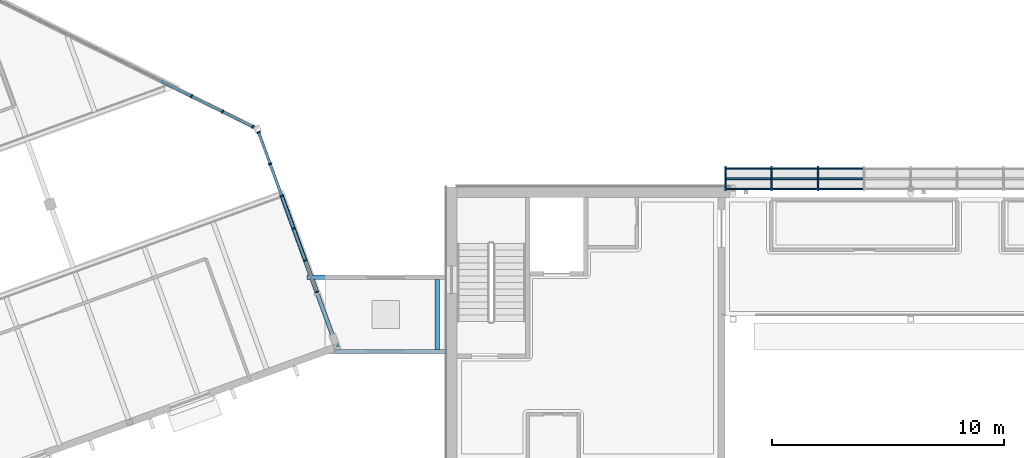
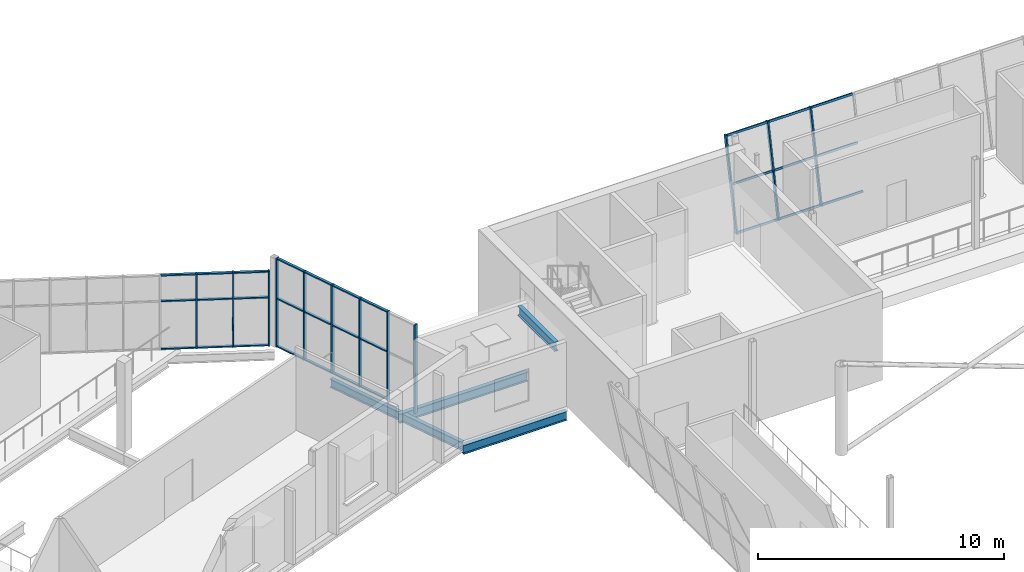
# One storey, part 32 of 115: 42 members, 4 beams, 3 elements without a shape of their own.
"""IFC4 building model written with IfcOpenShell, lengths in metres."""

from ifc_helpers import new_model, si_unit, direction, frame, origin, origin_2d, place, context, subcontext, project, spatial, rectangle, i_section, extrude, material, layer, layer_set, material_profile, profile_set, type_object, element, aggregate, save


model = new_model("IFC4")

# Units and contexts
model_context = context("Model", 3, precision=1e-05, world=origin(), true_north=direction((0.0, 1.0)))
body_context = subcontext(model_context, "Body", "Model", "MODEL_VIEW")
ifc_project = project(units=[si_unit("LENGTHUNIT", "METRE"), si_unit("AREAUNIT", "SQUARE_METRE"), si_unit("VOLUMEUNIT", "CUBIC_METRE"), si_unit("PLANEANGLEUNIT", "RADIAN"), si_unit("MASSUNIT", "GRAM", prefix="KILO")], contexts=[model_context])

# Site, building, storey
site_placement = place(None, origin())
site = spatial("IfcSite", under=ifc_project, at=site_placement, CompositionType="ELEMENT")
building_placement = place(site_placement, origin())
building = spatial("IfcBuilding", under=site, at=building_placement, Name="Windward Yard Aquatics Centre", CompositionType="ELEMENT")
storey_placement = place(building_placement, frame((0.0, 0.0, 5.0)))
storey = spatial("IfcBuildingStorey", under=building, at=storey_placement, Name="L01", CompositionType="ELEMENT", Elevation=5.0)

# Beams
ifc_material_1 = material(Name="Steel ASTM A992 Gr 50", Category="steel")
ifc_material_profile_1 = material_profile(ifc_material_1, i_section(OverallWidth=0.19091796875, OverallDepth=0.45703125, WebThickness=0.009033203125, FlangeThickness=0.014404296875, at=origin_2d()), Name="W460X74")
ifc_profile_set_1 = profile_set([ifc_material_profile_1], Name="Steel ASTM A992 Gr 50")
beam_type_1 = type_object("IfcBeamType", Name="C beam W460X74", PredefinedType="BEAM", material=ifc_profile_set_1)
beam_1_placement = place(storey_placement, frame((45.98291015625, 92.10009765625, -0.478515625), z_axis=(1.0, 0.0, 0.0), x_axis=(0.0, 1.0, 0.0)))
element("IfcBeam", 1, at=beam_1_placement, inside=storey, type_object=beam_type_1, Name="C.B.X.V3V1.L01.GN", PredefinedType="BEAM", context=body_context, shape_type="SweptSolid", body=[
    extrude(i_section(OverallWidth=0.19091796875, OverallDepth=0.45703125, WebThickness=0.009033203125, FlangeThickness=0.014404296875, at=origin_2d()), origin(), (0.0, 0.0, 1.0), 6.01708984375),
])
beam_2_placement = place(storey_placement, frame((47.147705078125, 88.89990234375, -0.478515625), z_axis=(1.0, 0.0, 0.0), x_axis=(0.0, 1.0, 0.0)))
element("IfcBeam", 2, at=beam_2_placement, inside=storey, type_object=beam_type_1, Name="C.B.X.V3V1.L01.GS", PredefinedType="BEAM", context=body_context, shape_type="SweptSolid", body=[
    extrude(i_section(OverallWidth=0.19091796875, OverallDepth=0.45703125, WebThickness=0.009033203125, FlangeThickness=0.014404296875, at=origin_2d()), origin(), (0.0, 0.0, 1.0), 4.852294921875),
])
beam_3_placement = place(storey_placement, frame((51.60009765625, 92.0, 2.971435546875), z_axis=(0.0, -1.0, 0.0), x_axis=(1.0, 0.0, 0.0)))
element("IfcBeam", 3, at=beam_3_placement, inside=storey, type_object=beam_type_1, Name="C.B.X.V3V1.L01.RB", PredefinedType="BEAM", context=body_context, shape_type="SweptSolid", body=[
    extrude(i_section(OverallWidth=0.19091796875, OverallDepth=0.45703125, WebThickness=0.009033203125, FlangeThickness=0.014404296875, at=origin_2d()), origin(), (0.0, 0.0, 1.0), 3.0),
])
ifc_material_2 = material(Name="Steel S355", Category="steel")
ifc_material_profile_2 = material_profile(ifc_material_2, i_section(OverallWidth=0.180908203125, OverallDepth=0.4169921875, WebThickness=0.010986328125, FlangeThickness=0.018310546875, at=origin_2d()), Name="W410x85")
ifc_profile_set_2 = profile_set([ifc_material_profile_2], Name="Steel S355")
beam_type_2 = type_object("IfcBeamType", Name="F W410x85 beam", PredefinedType="BEAM", material=ifc_profile_set_2)
beam_4_placement = place(storey_placement, frame((47.2744140625, 89.1015625, -0.488525390625), z_axis=(-0.342048290979, 0.939682375401, 0.0), x_axis=(-0.939682375401, -0.342048290979, 0.0)))
element("IfcBeam", 4, at=beam_4_placement, inside=storey, type_object=beam_type_2, Name="F.BM.L01.R05", PredefinedType="BEAM", context=body_context, shape_type="SweptSolid", body=[
    extrude(i_section(OverallWidth=0.180908203125, OverallDepth=0.4169921875, WebThickness=0.010986328125, FlangeThickness=0.018310546875, at=origin_2d()), origin(), (0.0, 0.0, 1.0), 6.999755859375),
])

# Curtain wall, members
ifc_material_3 = material(Name="Aluminium, anodised", Category="aluminium")
ifc_layer_1 = layer(ifc_material_3, 0.14990234375)
ifc_layer_set_1 = layer_set([ifc_layer_1], Name="F curtain wall 150 aluminium")
curtain_wall_type_1 = type_object("IfcCurtainWallType", Name="F curtain wall 150 aluminium", PredefinedType="NOTDEFINED", material=ifc_layer_set_1)
curtain_wall_1_placement = place(storey_placement, origin())
curtain_wall_1 = element("IfcCurtainWall", 5, at=curtain_wall_1_placement, inside=storey, type_object=curtain_wall_type_1, Name="Foyer glazing L01 1", PredefinedType="NOTDEFINED")
ifc_material_profile_3 = material_profile(ifc_material_3, rectangle(XDim=0.159912109375, YDim=0.06005859375, at=origin_2d()), Name="MULLION 60x160")
ifc_profile_set_3 = profile_set([ifc_material_profile_3], Name="Aluminium, anodised")
member_type_1 = type_object("IfcMemberType", Name="F mullion 60x160 aluminium", PredefinedType="MULLION", material=ifc_profile_set_3)
member_1_placement = place(storey_placement, frame((46.4130859375, 91.468017578125, 0.0), z_axis=(0.0, 0.0, 1.0), x_axis=(-0.939690977787, -0.342024657393, 0.0)))
member_1 = element("IfcMember", 6, at=member_1_placement, type_object=member_type_1, Name="FCW1 mullion 1", PredefinedType="MULLION", context=body_context, shape_type="SweptSolid", body=[
    extrude(rectangle(XDim=0.159912109375, YDim=0.06005859375, at=origin_2d()), origin(), (0.0, 0.0, 1.0), 4.39990234375),
])
member_2_placement = place(storey_placement, frame((45.918212890625, 92.82763671875, 0.0), z_axis=(0.0, 0.0, 1.0), x_axis=(-0.939690977787, -0.342024657393, 0.0)))
member_2 = element("IfcMember", 7, at=member_2_placement, type_object=member_type_1, Name="FCW1 mullion 2", PredefinedType="MULLION", context=body_context, shape_type="SweptSolid", body=[
    extrude(rectangle(XDim=0.159912109375, YDim=0.06005859375, at=origin_2d()), origin(), (0.0, 0.0, 1.0), 4.39990234375),
])
member_3_placement = place(storey_placement, frame((45.4130859375, 94.215576171875, 0.0), z_axis=(0.0, 0.0, 1.0), x_axis=(-0.939690977787, -0.342024657393, 0.0)))
member_3 = element("IfcMember", 8, at=member_3_placement, type_object=member_type_1, Name="FCW1 mullion 3", PredefinedType="MULLION", context=body_context, shape_type="SweptSolid", body=[
    extrude(rectangle(XDim=0.159912109375, YDim=0.06005859375, at=origin_2d()), origin(), (0.0, 0.0, 1.0), 4.39990234375),
])
member_4_placement = place(storey_placement, frame((44.907958984375, 95.603271484375, 0.0), z_axis=(0.0, 0.0, 1.0), x_axis=(-0.939690977787, -0.342024657393, 0.0)))
member_4 = element("IfcMember", 9, at=member_4_placement, type_object=member_type_1, Name="FCW1 mullion 4", PredefinedType="MULLION", context=body_context, shape_type="SweptSolid", body=[
    extrude(rectangle(XDim=0.159912109375, YDim=0.06005859375, at=origin_2d()), origin(), (0.0, 0.0, 1.0), 4.39990234375),
])
member_5_placement = place(storey_placement, frame((44.40283203125, 96.9912109375, 0.0), z_axis=(0.0, 0.0, 1.0), x_axis=(-0.939690977787, -0.342024657393, 0.0)))
member_5 = element("IfcMember", 10, at=member_5_placement, type_object=member_type_1, Name="FCW1 mullion 5", PredefinedType="MULLION", context=body_context, shape_type="SweptSolid", body=[
    extrude(rectangle(XDim=0.159912109375, YDim=0.06005859375, at=origin_2d()), origin(), (0.0, 0.0, 1.0), 4.39990234375),
])
member_6_placement = place(storey_placement, frame((43.907958984375, 98.350830078125, 0.0), z_axis=(0.0, 0.0, 1.0), x_axis=(-0.939690977787, -0.342024657393, 0.0)))
member_6 = element("IfcMember", 11, at=member_6_placement, type_object=member_type_1, Name="FCW1 mullion 6", PredefinedType="MULLION", context=body_context, shape_type="SweptSolid", body=[
    extrude(rectangle(XDim=0.159912109375, YDim=0.06005859375, at=origin_2d()), origin(), (0.0, 0.0, 1.0), 4.39990234375),
])

curtain_wall_2_placement = place(storey_placement, origin())
curtain_wall_2 = element("IfcCurtainWall", 12, at=curtain_wall_2_placement, inside=storey, type_object=curtain_wall_type_1, Name="Foyer glazing L01 2", PredefinedType="NOTDEFINED")
member_7_placement = place(storey_placement, frame((43.6572265625, 98.596435546875, 0.0), z_axis=(0.0, 0.0, 1.0), x_axis=(-0.445706968105, -0.895178919872, 0.0)))
member_7 = element("IfcMember", 13, at=member_7_placement, type_object=member_type_1, Name="FCW2 mullion 1", PredefinedType="MULLION", context=body_context, shape_type="SweptSolid", body=[
    extrude(rectangle(XDim=0.159912109375, YDim=0.06005859375, at=origin_2d()), origin(), (0.0, 0.0, 1.0), 3.702880859375),
])
member_8_placement = place(storey_placement, frame((42.35009765625, 99.247314453125, 0.0), z_axis=(0.0, 0.0, 1.0), x_axis=(-0.445706968105, -0.895178919872, 0.0)))
member_8 = element("IfcMember", 14, at=member_8_placement, type_object=member_type_1, Name="FCW2 mullion 2", PredefinedType="MULLION", context=body_context, shape_type="SweptSolid", body=[
    extrude(rectangle(XDim=0.159912109375, YDim=0.06005859375, at=origin_2d()), origin(), (0.0, 0.0, 1.0), 3.702880859375),
])
member_9_placement = place(storey_placement, frame((41.015869140625, 99.91162109375, 0.0), z_axis=(0.0, 0.0, 1.0), x_axis=(-0.445706968105, -0.895178919872, 0.0)))
member_9 = element("IfcMember", 15, at=member_9_placement, type_object=member_type_1, Name="FCW2 mullion 3", PredefinedType="MULLION", context=body_context, shape_type="SweptSolid", body=[
    extrude(rectangle(XDim=0.159912109375, YDim=0.06005859375, at=origin_2d()), origin(), (0.0, 0.0, 1.0), 3.702880859375),
])

# Member
ifc_material_profile_4 = material_profile(ifc_material_3, rectangle(XDim=0.1201171875, YDim=0.06005859375, at=origin_2d()), Name="TRANSOM 60x120")
ifc_profile_set_4 = profile_set([ifc_material_profile_4], Name="Aluminium, anodised")
member_type_2 = type_object("IfcMemberType", Name="F transom 60x120 aluminium", PredefinedType="USERDEFINED", material=ifc_profile_set_4)
member_10_placement = place(storey_placement, frame((45.907958984375, 92.855712890625, 0.030029296875), z_axis=(-0.342005894163, 0.939697806935, 0.0), x_axis=(-0.939697806935, -0.342005894163, 0.0)))
member_10 = element("IfcMember", 16, at=member_10_placement, type_object=member_type_2, Name="FCW1 transom 2.1", ObjectType="TRANSOM", PredefinedType="USERDEFINED", context=body_context, shape_type="SweptSolid", body=[
    extrude(rectangle(XDim=0.1201171875, YDim=0.06005859375, at=origin_2d()), origin(), (0.0, 0.0, 1.0), 1.4169921875),
])

member_11_placement = place(storey_placement, frame((45.907958984375, 92.855712890625, 2.39990234375), z_axis=(-0.342005894163, 0.939697806935, 0.0), x_axis=(-0.939697806935, -0.342005894163, 0.0)))
member_11 = element("IfcMember", 17, at=member_11_placement, type_object=member_type_2, Name="FCW1 transom 2.2", ObjectType="TRANSOM", PredefinedType="USERDEFINED", context=body_context, shape_type="SweptSolid", body=[
    extrude(rectangle(XDim=0.1201171875, YDim=0.06005859375, at=origin_2d()), origin(), (0.0, 0.0, 1.0), 1.4169921875),
])

member_12_placement = place(storey_placement, frame((45.907958984375, 92.855712890625, 4.3701171875), z_axis=(-0.342005894163, 0.939697806935, 0.0), x_axis=(-0.939697806935, -0.342005894163, 0.0)))
member_12 = element("IfcMember", 18, at=member_12_placement, type_object=member_type_2, Name="FCW1 transom 2.3", ObjectType="TRANSOM", PredefinedType="USERDEFINED", context=body_context, shape_type="SweptSolid", body=[
    extrude(rectangle(XDim=0.1201171875, YDim=0.06005859375, at=origin_2d()), origin(), (0.0, 0.0, 1.0), 1.4169921875),
])

member_13_placement = place(storey_placement, frame((45.40283203125, 94.24365234375, 0.030029296875), z_axis=(-0.342005894163, 0.939697806935, 0.0), x_axis=(-0.939697806935, -0.342005894163, 0.0)))
member_13 = element("IfcMember", 19, at=member_13_placement, type_object=member_type_2, Name="FCW1 transom 3.1", ObjectType="TRANSOM", PredefinedType="USERDEFINED", context=body_context, shape_type="SweptSolid", body=[
    extrude(rectangle(XDim=0.1201171875, YDim=0.06005859375, at=origin_2d()), origin(), (0.0, 0.0, 1.0), 1.4169921875),
])

member_14_placement = place(storey_placement, frame((45.40283203125, 94.24365234375, 2.39990234375), z_axis=(-0.342005894163, 0.939697806935, 0.0), x_axis=(-0.939697806935, -0.342005894163, 0.0)))
member_14 = element("IfcMember", 20, at=member_14_placement, type_object=member_type_2, Name="FCW1 transom 3.2", ObjectType="TRANSOM", PredefinedType="USERDEFINED", context=body_context, shape_type="SweptSolid", body=[
    extrude(rectangle(XDim=0.1201171875, YDim=0.06005859375, at=origin_2d()), origin(), (0.0, 0.0, 1.0), 1.4169921875),
])

member_15_placement = place(storey_placement, frame((45.40283203125, 94.24365234375, 4.3701171875), z_axis=(-0.342005894163, 0.939697806935, 0.0), x_axis=(-0.939697806935, -0.342005894163, 0.0)))
member_15 = element("IfcMember", 21, at=member_15_placement, type_object=member_type_2, Name="FCW1 transom 3.3", ObjectType="TRANSOM", PredefinedType="USERDEFINED", context=body_context, shape_type="SweptSolid", body=[
    extrude(rectangle(XDim=0.1201171875, YDim=0.06005859375, at=origin_2d()), origin(), (0.0, 0.0, 1.0), 1.4169921875),
])

member_16_placement = place(storey_placement, frame((44.897705078125, 95.631591796875, 0.030029296875), z_axis=(-0.342061275131, 0.939677649013, 0.0), x_axis=(-0.939677649013, -0.342061275131, 0.0)))
member_16 = element("IfcMember", 22, at=member_16_placement, type_object=member_type_2, Name="FCW1 transom 4.1", ObjectType="TRANSOM", PredefinedType="USERDEFINED", context=body_context, shape_type="SweptSolid", body=[
    extrude(rectangle(XDim=0.1201171875, YDim=0.06005859375, at=origin_2d()), origin(), (0.0, 0.0, 1.0), 1.416748046875),
])

member_17_placement = place(storey_placement, frame((44.897705078125, 95.631591796875, 2.39990234375), z_axis=(-0.342061275131, 0.939677649013, 0.0), x_axis=(-0.939677649013, -0.342061275131, 0.0)))
member_17 = element("IfcMember", 23, at=member_17_placement, type_object=member_type_2, Name="FCW1 transom 4.2", ObjectType="TRANSOM", PredefinedType="USERDEFINED", context=body_context, shape_type="SweptSolid", body=[
    extrude(rectangle(XDim=0.1201171875, YDim=0.06005859375, at=origin_2d()), origin(), (0.0, 0.0, 1.0), 1.416748046875),
])

member_18_placement = place(storey_placement, frame((44.897705078125, 95.631591796875, 4.3701171875), z_axis=(-0.342061275131, 0.939677649013, 0.0), x_axis=(-0.939677649013, -0.342061275131, 0.0)))
member_18 = element("IfcMember", 24, at=member_18_placement, type_object=member_type_2, Name="FCW1 transom 4.3", ObjectType="TRANSOM", PredefinedType="USERDEFINED", context=body_context, shape_type="SweptSolid", body=[
    extrude(rectangle(XDim=0.1201171875, YDim=0.06005859375, at=origin_2d()), origin(), (0.0, 0.0, 1.0), 1.416748046875),
])

member_19_placement = place(storey_placement, frame((44.392578125, 97.019287109375, 0.030029296875), z_axis=(-0.342039867532, 0.939685441527, 0.0), x_axis=(-0.939685441527, -0.342039867532, 0.0)))
member_19 = element("IfcMember", 25, at=member_19_placement, type_object=member_type_2, Name="FCW1 transom 5.1", ObjectType="TRANSOM", PredefinedType="USERDEFINED", context=body_context, shape_type="SweptSolid", body=[
    extrude(rectangle(XDim=0.1201171875, YDim=0.06005859375, at=origin_2d()), origin(), (0.0, 0.0, 1.0), 1.386962890625),
])

member_20_placement = place(storey_placement, frame((44.392578125, 97.019287109375, 2.39990234375), z_axis=(-0.342039867532, 0.939685441527, 0.0), x_axis=(-0.939685441527, -0.342039867532, 0.0)))
member_20 = element("IfcMember", 26, at=member_20_placement, type_object=member_type_2, Name="FCW1 transom 5.2", ObjectType="TRANSOM", PredefinedType="USERDEFINED", context=body_context, shape_type="SweptSolid", body=[
    extrude(rectangle(XDim=0.1201171875, YDim=0.06005859375, at=origin_2d()), origin(), (0.0, 0.0, 1.0), 1.386962890625),
])

member_21_placement = place(storey_placement, frame((44.392578125, 97.019287109375, 4.3701171875), z_axis=(-0.342039867532, 0.939685441527, 0.0), x_axis=(-0.939685441527, -0.342039867532, 0.0)))
member_21 = element("IfcMember", 27, at=member_21_placement, type_object=member_type_2, Name="FCW1 transom 5.3", ObjectType="TRANSOM", PredefinedType="USERDEFINED", context=body_context, shape_type="SweptSolid", body=[
    extrude(rectangle(XDim=0.1201171875, YDim=0.06005859375, at=origin_2d()), origin(), (0.0, 0.0, 1.0), 1.386962890625),
])

aggregate(curtain_wall_1, [member_1, member_2, member_3, member_4, member_5, member_6, member_10, member_11, member_12, member_13, member_14, member_15, member_16, member_17, member_18, member_19, member_20, member_21])

member_22_placement = place(storey_placement, frame((43.63037109375, 98.60986328125, 0.030029296875), z_axis=(-0.895193083549, 0.445678519975, 0.0), x_axis=(-0.445678519975, -0.895193083549, 0.0)))
member_22 = element("IfcMember", 28, at=member_22_placement, type_object=member_type_2, Name="FCW2 transom 1.1", ObjectType="TRANSOM", PredefinedType="USERDEFINED", context=body_context, shape_type="SweptSolid", body=[
    extrude(rectangle(XDim=0.1201171875, YDim=0.06005859375, at=origin_2d()), origin(), (0.0, 0.0, 1.0), 1.400146484375),
])

member_23_placement = place(storey_placement, frame((43.63037109375, 98.60986328125, 2.39990234375), z_axis=(-0.895193083549, 0.445678519975, 0.0), x_axis=(-0.445678519975, -0.895193083549, 0.0)))
member_23 = element("IfcMember", 29, at=member_23_placement, type_object=member_type_2, Name="FCW2 transom 1.2", ObjectType="TRANSOM", PredefinedType="USERDEFINED", context=body_context, shape_type="SweptSolid", body=[
    extrude(rectangle(XDim=0.1201171875, YDim=0.06005859375, at=origin_2d()), origin(), (0.0, 0.0, 1.0), 1.400146484375),
])

member_24_placement = place(storey_placement, frame((43.63037109375, 98.60986328125, 3.673095703125), z_axis=(-0.895193083549, 0.445678519975, 0.0), x_axis=(-0.445678519975, -0.895193083549, 0.0)))
member_24 = element("IfcMember", 30, at=member_24_placement, type_object=member_type_2, Name="FCW2 transom 1.3", ObjectType="TRANSOM", PredefinedType="USERDEFINED", context=body_context, shape_type="SweptSolid", body=[
    extrude(rectangle(XDim=0.1201171875, YDim=0.06005859375, at=origin_2d()), origin(), (0.0, 0.0, 1.0), 1.400146484375),
])

member_25_placement = place(storey_placement, frame((42.3232421875, 99.2607421875, 0.030029296875), z_axis=(-0.895210935678, 0.445642660258, 0.0), x_axis=(-0.445642660258, -0.895210935678, 0.0)))
member_25 = element("IfcMember", 31, at=member_25_placement, type_object=member_type_2, Name="FCW2 transom 2.1", ObjectType="TRANSOM", PredefinedType="USERDEFINED", context=body_context, shape_type="SweptSolid", body=[
    extrude(rectangle(XDim=0.1201171875, YDim=0.06005859375, at=origin_2d()), origin(), (0.0, 0.0, 1.0), 1.430419921875),
])

member_26_placement = place(storey_placement, frame((42.3232421875, 99.2607421875, 2.39990234375), z_axis=(-0.895210935678, 0.445642660258, 0.0), x_axis=(-0.445642660258, -0.895210935678, 0.0)))
member_26 = element("IfcMember", 32, at=member_26_placement, type_object=member_type_2, Name="FCW2 transom 2.2", ObjectType="TRANSOM", PredefinedType="USERDEFINED", context=body_context, shape_type="SweptSolid", body=[
    extrude(rectangle(XDim=0.1201171875, YDim=0.06005859375, at=origin_2d()), origin(), (0.0, 0.0, 1.0), 1.430419921875),
])

member_27_placement = place(storey_placement, frame((42.3232421875, 99.2607421875, 3.673095703125), z_axis=(-0.895210935678, 0.445642660258, 0.0), x_axis=(-0.445642660258, -0.895210935678, 0.0)))
member_27 = element("IfcMember", 33, at=member_27_placement, type_object=member_type_2, Name="FCW2 transom 2.3", ObjectType="TRANSOM", PredefinedType="USERDEFINED", context=body_context, shape_type="SweptSolid", body=[
    extrude(rectangle(XDim=0.1201171875, YDim=0.06005859375, at=origin_2d()), origin(), (0.0, 0.0, 1.0), 1.430419921875),
])

member_28_placement = place(storey_placement, frame((40.989013671875, 99.925048828125, 0.030029296875), z_axis=(-0.895210935678, 0.445642660258, 0.0), x_axis=(-0.445642660258, -0.895210935678, 0.0)))
member_28 = element("IfcMember", 34, at=member_28_placement, type_object=member_type_2, Name="FCW2 transom 3.1", ObjectType="TRANSOM", PredefinedType="USERDEFINED", context=body_context, shape_type="SweptSolid", body=[
    extrude(rectangle(XDim=0.1201171875, YDim=0.06005859375, at=origin_2d()), origin(), (0.0, 0.0, 1.0), 1.430419921875),
])

member_29_placement = place(storey_placement, frame((40.989013671875, 99.925048828125, 2.39990234375), z_axis=(-0.895210935678, 0.445642660258, 0.0), x_axis=(-0.445642660258, -0.895210935678, 0.0)))
member_29 = element("IfcMember", 35, at=member_29_placement, type_object=member_type_2, Name="FCW2 transom 3.2", ObjectType="TRANSOM", PredefinedType="USERDEFINED", context=body_context, shape_type="SweptSolid", body=[
    extrude(rectangle(XDim=0.1201171875, YDim=0.06005859375, at=origin_2d()), origin(), (0.0, 0.0, 1.0), 1.430419921875),
])

member_30_placement = place(storey_placement, frame((40.989013671875, 99.925048828125, 3.673095703125), z_axis=(-0.895210935678, 0.445642660258, 0.0), x_axis=(-0.445642660258, -0.895210935678, 0.0)))
member_30 = element("IfcMember", 36, at=member_30_placement, type_object=member_type_2, Name="FCW2 transom 3.3", ObjectType="TRANSOM", PredefinedType="USERDEFINED", context=body_context, shape_type="SweptSolid", body=[
    extrude(rectangle(XDim=0.1201171875, YDim=0.06005859375, at=origin_2d()), origin(), (0.0, 0.0, 1.0), 1.430419921875),
])

aggregate(curtain_wall_2, [member_7, member_8, member_9, member_22, member_23, member_24, member_25, member_26, member_27, member_28, member_29, member_30])

# Curtain wall, members
ifc_material_4 = material(Name="Glass and aluminium curtain wall", Category="aluminium")
ifc_layer_2 = layer(ifc_material_4, 0.179931640625)
ifc_layer_set_2 = layer_set([ifc_layer_2], Name="H curtain wall tier 1 double glazed 8+16+8")
curtain_wall_type_2 = type_object("IfcCurtainWallType", Name="H curtain wall tier 1 double glazed 8+16+8", PredefinedType="NOTDEFINED", material=ifc_layer_set_2)
curtain_wall_3_placement = place(storey_placement, origin())
curtain_wall_3 = element("IfcCurtainWall", 37, at=curtain_wall_3_placement, inside=storey, type_object=curtain_wall_type_2, Name="Tier 1 glazing N L01", PredefinedType="NOTDEFINED")
ifc_material_5 = material(Name="Aluminium 6063-T6 anodised", Category="aluminium")
ifc_material_profile_5 = material_profile(ifc_material_5, rectangle(XDim=0.06494140625, YDim=0.179931640625, at=origin_2d()), Name="H CW mullion 65x180")
ifc_profile_set_5 = profile_set([ifc_material_profile_5], Name="Aluminium 6063-T6 anodised")
member_type_3 = type_object("IfcMemberType", Name="H CW mullion 65x180", PredefinedType="MULLION", material=ifc_profile_set_5)
member_31_placement = place(storey_placement, frame((64.032470703125, 95.911865234375, 0.017822265625), z_axis=(0.0, 0.199380237329, 0.979922201485), x_axis=(-1.0, 0.0, 0.0)))
member_31 = element("IfcMember", 38, at=member_31_placement, type_object=member_type_3, Name="G1NA mullion 1", PredefinedType="MULLION", context=body_context, shape_type="SweptSolid", body=[
    extrude(rectangle(XDim=0.06494140625, YDim=0.179931640625, at=origin_2d()), origin(), (0.0, 0.0, 1.0), 4.471923828125),
])
member_32_placement = place(storey_placement, frame((65.999755859375, 95.911865234375, 0.017822265625), z_axis=(0.0, 0.199380237329, 0.979922201485), x_axis=(-1.0, 0.0, 0.0)))
member_32 = element("IfcMember", 39, at=member_32_placement, type_object=member_type_3, Name="G1NA mullion 2", PredefinedType="MULLION", context=body_context, shape_type="SweptSolid", body=[
    extrude(rectangle(XDim=0.06494140625, YDim=0.179931640625, at=origin_2d()), origin(), (0.0, 0.0, 1.0), 4.471923828125),
])
member_33_placement = place(storey_placement, frame((67.99951171875, 95.911865234375, 0.017822265625), z_axis=(0.0, 0.199380237329, 0.979922201485), x_axis=(-1.0, 0.0, 0.0)))
member_33 = element("IfcMember", 40, at=member_33_placement, type_object=member_type_3, Name="G1NA mullion 3", PredefinedType="MULLION", context=body_context, shape_type="SweptSolid", body=[
    extrude(rectangle(XDim=0.06494140625, YDim=0.179931640625, at=origin_2d()), origin(), (0.0, 0.0, 1.0), 4.471923828125),
])
ifc_material_profile_6 = material_profile(ifc_material_5, rectangle(XDim=0.06494140625, YDim=0.10009765625, at=origin_2d()), Name="H CW transom 65x100")
ifc_profile_set_6 = profile_set([ifc_material_profile_6], Name="Aluminium 6063-T6 anodised")
member_type_4 = type_object("IfcMemberType", Name="H CW transom 65x100", PredefinedType="USERDEFINED", material=ifc_profile_set_6)
member_34_placement = place(storey_placement, frame((64.06494140625, 95.91943359375, 0.055419921875), z_axis=(1.0, 0.0, 0.0), x_axis=(0.0, -0.979924704642, 0.199367934315)))
member_34 = element("IfcMember", 41, at=member_34_placement, type_object=member_type_4, Name="G1NA transom 1.1", ObjectType="TRANSOM", PredefinedType="USERDEFINED", context=body_context, shape_type="SweptSolid", body=[
    extrude(rectangle(XDim=0.06494140625, YDim=0.10009765625, at=origin_2d()), origin(), (0.0, 0.0, 1.0), 1.90234375),
])
member_35_placement = place(storey_placement, frame((64.06494140625, 96.355712890625, 2.199951171875), z_axis=(1.0, 0.0, 0.0), x_axis=(0.0, -0.979924704642, 0.199367934315)))
member_35 = element("IfcMember", 42, at=member_35_placement, type_object=member_type_4, Name="G1NA transom 1.2", ObjectType="TRANSOM", PredefinedType="USERDEFINED", context=body_context, shape_type="SweptSolid", body=[
    extrude(rectangle(XDim=0.06494140625, YDim=0.10009765625, at=origin_2d()), origin(), (0.0, 0.0, 1.0), 1.90234375),
])
member_36_placement = place(storey_placement, frame((64.06494140625, 96.79345703125, 4.35107421875), z_axis=(1.0, 0.0, 0.0), x_axis=(0.0, -0.979924704642, 0.199367934315)))
member_36 = element("IfcMember", 43, at=member_36_placement, type_object=member_type_4, Name="G1NA transom 1.3", ObjectType="TRANSOM", PredefinedType="USERDEFINED", context=body_context, shape_type="SweptSolid", body=[
    extrude(rectangle(XDim=0.06494140625, YDim=0.10009765625, at=origin_2d()), origin(), (0.0, 0.0, 1.0), 1.90234375),
])
member_37_placement = place(storey_placement, frame((66.0322265625, 95.91943359375, 0.055419921875), z_axis=(1.0, 0.0, 0.0), x_axis=(0.0, -0.979924704642, 0.199367934315)))
member_37 = element("IfcMember", 44, at=member_37_placement, type_object=member_type_4, Name="G1NA transom 2.1", ObjectType="TRANSOM", PredefinedType="USERDEFINED", context=body_context, shape_type="SweptSolid", body=[
    extrude(rectangle(XDim=0.06494140625, YDim=0.10009765625, at=origin_2d()), origin(), (0.0, 0.0, 1.0), 1.934814453125),
])
member_38_placement = place(storey_placement, frame((66.0322265625, 96.355712890625, 2.199951171875), z_axis=(1.0, 0.0, 0.0), x_axis=(0.0, -0.979924704642, 0.199367934315)))
member_38 = element("IfcMember", 45, at=member_38_placement, type_object=member_type_4, Name="G1NA transom 2.2", ObjectType="TRANSOM", PredefinedType="USERDEFINED", context=body_context, shape_type="SweptSolid", body=[
    extrude(rectangle(XDim=0.06494140625, YDim=0.10009765625, at=origin_2d()), origin(), (0.0, 0.0, 1.0), 1.934814453125),
])
member_39_placement = place(storey_placement, frame((66.0322265625, 96.79345703125, 4.35107421875), z_axis=(1.0, 0.0, 0.0), x_axis=(0.0, -0.979924704642, 0.199367934315)))
member_39 = element("IfcMember", 46, at=member_39_placement, type_object=member_type_4, Name="G1NA transom 2.3", ObjectType="TRANSOM", PredefinedType="USERDEFINED", context=body_context, shape_type="SweptSolid", body=[
    extrude(rectangle(XDim=0.06494140625, YDim=0.10009765625, at=origin_2d()), origin(), (0.0, 0.0, 1.0), 1.934814453125),
])
member_40_placement = place(storey_placement, frame((68.031982421875, 95.91943359375, 0.055419921875), z_axis=(1.0, 0.0, 0.0), x_axis=(0.0, -0.979924704642, 0.199367934315)))
member_40 = element("IfcMember", 47, at=member_40_placement, type_object=member_type_4, Name="G1NA transom 3.1", ObjectType="TRANSOM", PredefinedType="USERDEFINED", context=body_context, shape_type="SweptSolid", body=[
    extrude(rectangle(XDim=0.06494140625, YDim=0.10009765625, at=origin_2d()), origin(), (0.0, 0.0, 1.0), 1.934814453125),
])
member_41_placement = place(storey_placement, frame((68.031982421875, 96.355712890625, 2.199951171875), z_axis=(1.0, 0.0, 0.0), x_axis=(0.0, -0.979924704642, 0.199367934315)))
member_41 = element("IfcMember", 48, at=member_41_placement, type_object=member_type_4, Name="G1NA transom 3.2", ObjectType="TRANSOM", PredefinedType="USERDEFINED", context=body_context, shape_type="SweptSolid", body=[
    extrude(rectangle(XDim=0.06494140625, YDim=0.10009765625, at=origin_2d()), origin(), (0.0, 0.0, 1.0), 1.934814453125),
])
member_42_placement = place(storey_placement, frame((68.031982421875, 96.79345703125, 4.35107421875), z_axis=(1.0, 0.0, 0.0), x_axis=(0.0, -0.979924704642, 0.199367934315)))
member_42 = element("IfcMember", 49, at=member_42_placement, type_object=member_type_4, Name="G1NA transom 3.3", ObjectType="TRANSOM", PredefinedType="USERDEFINED", context=body_context, shape_type="SweptSolid", body=[
    extrude(rectangle(XDim=0.06494140625, YDim=0.10009765625, at=origin_2d()), origin(), (0.0, 0.0, 1.0), 1.934814453125),
])
aggregate(curtain_wall_3, [member_31, member_32, member_33, member_34, member_35, member_36, member_37, member_38, member_39, member_40, member_41, member_42])

save(model, "model.ifc")
